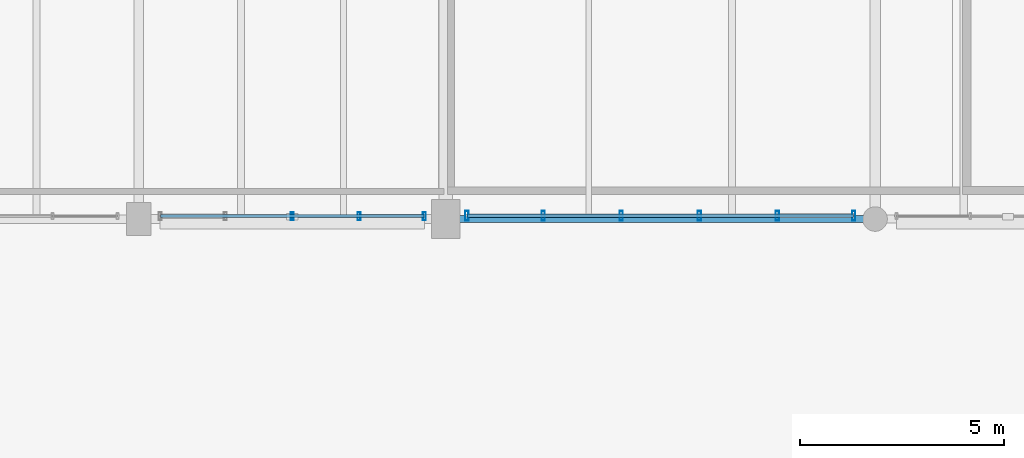
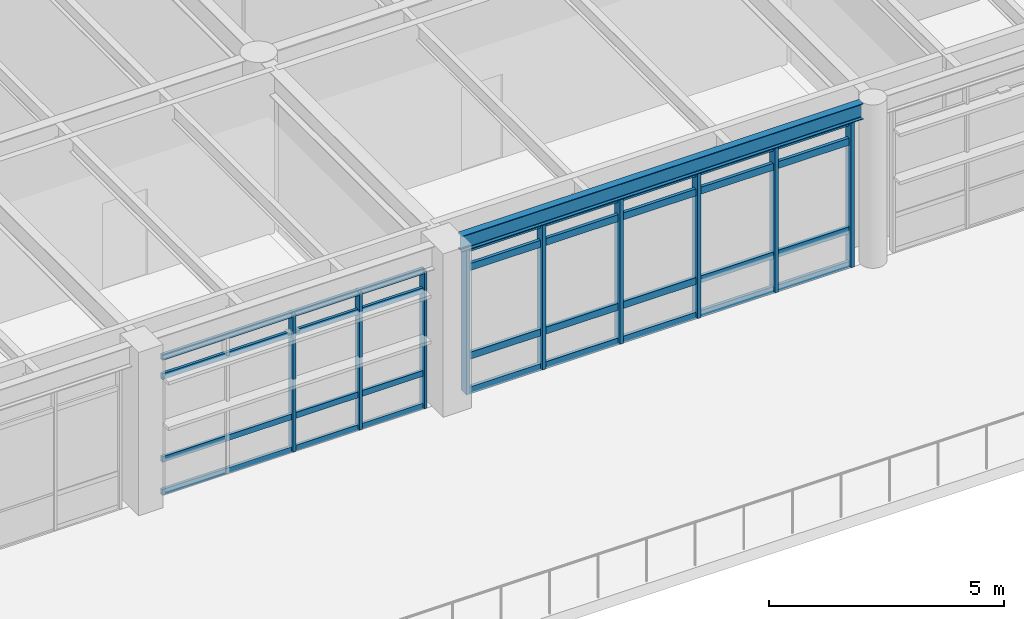
# One storey, part 72 of 168: 17 members, 1 beam, 2 elements without a shape of their own.
"""IFC4 building model written with IfcOpenShell, lengths in metres."""

from ifc_helpers import new_model, si_unit, direction, frame, origin, origin_2d, place, context, subcontext, project, spatial, hollow_rectangle, i_section, extrude, material, material_profile, profile_set, type_object, element, aggregate, save


model = new_model("IFC4")

# Units and contexts
model_context = context("Model", 3, precision=1e-05, world=origin(), true_north=direction((0.0, 1.0)))
body_context = subcontext(model_context, "Body", "Model", "MODEL_VIEW")
ifc_project = project(units=[si_unit("LENGTHUNIT", "METRE"), si_unit("AREAUNIT", "SQUARE_METRE"), si_unit("VOLUMEUNIT", "CUBIC_METRE"), si_unit("PLANEANGLEUNIT", "RADIAN"), si_unit("MASSUNIT", "GRAM", prefix="KILO"), si_unit("THERMODYNAMICTEMPERATUREUNIT", "KELVIN"), si_unit("POWERUNIT", "WATT")], contexts=[model_context])

# Site, building, storey
site_placement = place(None, origin())
site = spatial("IfcSite", under=ifc_project, at=site_placement, CompositionType="ELEMENT")
building_placement = place(site_placement, origin())
building = spatial("IfcBuilding", under=site, at=building_placement, Name="Tepalcoro Natatorium and Aquatics Centre", CompositionType="ELEMENT")
storey_placement = place(building_placement, frame((0.0, 0.0, 10.199951171875)))
storey = spatial("IfcBuildingStorey", under=building, at=storey_placement, Name="L02", CompositionType="ELEMENT", Elevation=10.199951171875)

# Curtain wall, members
ifc_material_1 = material(Name="Bronze-Anodised Extruded Aluminium Alloy EN AW-6063 T6", Category="aluminium")
curtain_wall_type_1 = type_object("IfcCurtainWallType", Name="CW_V4_VILLAGE", PredefinedType="USERDEFINED", material=ifc_material_1)
curtain_wall_1_placement = place(storey_placement, origin())
curtain_wall_1 = element("IfcCurtainWall", 1, at=curtain_wall_1_placement, inside=storey, type_object=curtain_wall_type_1, Name="V4 L02 S Unitised Curtain Wall Bay 3", ObjectType="UNITISED STOREFRONT", PredefinedType="USERDEFINED")
ifc_material_profile_1 = material_profile(ifc_material_1, hollow_rectangle(XDim=0.070068359375, YDim=0.199951171875, WallThickness=0.0048828125, at=origin_2d()), Name="AL70X200X5")
ifc_profile_set_1 = profile_set([ifc_material_profile_1], Name="Bronze-Anodised Extruded Aluminium Alloy EN AW-6063 T6")
member_type_1 = type_object("IfcMemberType", Name="CW_MUL_70x200", PredefinedType="MULLION", material=ifc_profile_set_1)
member_1_placement = place(storey_placement, frame((32.25, 94.0712890625, 0.02001953125), z_axis=(0.0, 0.0, 1.0), x_axis=(1.0, 0.0, 0.0)))
member_1 = element("IfcMember", 2, at=member_1_placement, type_object=member_type_1, Name="CW_V4_VILLAGE Curtain Wall Mullion", PredefinedType="MULLION", context=body_context, shape_type="SweptSolid", body=[
    extrude(hollow_rectangle(XDim=0.070068359375, YDim=0.199951171875, WallThickness=0.0048828125, at=origin_2d()), origin(), (0.0, 0.0, 1.0), 3.568115234375),
])
member_2_placement = place(storey_placement, frame((33.885009765625, 94.0712890625, 0.02001953125), z_axis=(0.0, 0.0, 1.0), x_axis=(1.0, 0.0, 0.0)))
member_2 = element("IfcMember", 3, at=member_2_placement, type_object=member_type_1, Name="CW_V4_VILLAGE Curtain Wall Mullion", PredefinedType="MULLION", context=body_context, shape_type="SweptSolid", body=[
    extrude(hollow_rectangle(XDim=0.070068359375, YDim=0.199951171875, WallThickness=0.0048828125, at=origin_2d()), origin(), (0.0, 0.0, 1.0), 3.568115234375),
])
member_3_placement = place(storey_placement, frame((35.47998046875, 94.0712890625, 0.02001953125), z_axis=(0.0, 0.0, 1.0), x_axis=(1.0, 0.0, 0.0)))
member_3 = element("IfcMember", 4, at=member_3_placement, type_object=member_type_1, Name="CW_V4_VILLAGE Curtain Wall Mullion", PredefinedType="MULLION", context=body_context, shape_type="SweptSolid", body=[
    extrude(hollow_rectangle(XDim=0.070068359375, YDim=0.199951171875, WallThickness=0.0048828125, at=origin_2d()), origin(), (0.0, 0.0, 1.0), 3.568115234375),
])

curtain_wall_type_2 = type_object("IfcCurtainWallType", Name="CW_V5_LOWER", PredefinedType="USERDEFINED", material=ifc_material_1)
curtain_wall_2_placement = place(storey_placement, origin())
curtain_wall_2 = element("IfcCurtainWall", 5, at=curtain_wall_2_placement, inside=storey, type_object=curtain_wall_type_2, Name="V4 L02 S Unitised Curtain Wall Bay 4", ObjectType="UNITISED STOREFRONT", PredefinedType="USERDEFINED")
ifc_material_profile_2 = material_profile(ifc_material_1, hollow_rectangle(XDim=0.080078125, YDim=0.239990234375, WallThickness=0.0048828125, at=origin_2d()), Name="AL80X240X5")
ifc_profile_set_2 = profile_set([ifc_material_profile_2], Name="Bronze-Anodised Extruded Aluminium Alloy EN AW-6063 T6")
member_type_2 = type_object("IfcMemberType", Name="CW_MUL_80x240", PredefinedType="MULLION", material=ifc_profile_set_2)
member_4_placement = place(storey_placement, frame((36.52001953125, 94.080078125, 0.02001953125), z_axis=(0.0, 0.0, 1.0), x_axis=(1.0, 0.0, 0.0)))
member_4 = element("IfcMember", 6, at=member_4_placement, type_object=member_type_2, Name="CW_V5_LOWER Curtain Wall Mullion", PredefinedType="MULLION", context=body_context, shape_type="SweptSolid", body=[
    extrude(hollow_rectangle(XDim=0.080078125, YDim=0.239990234375, WallThickness=0.0048828125, at=origin_2d()), origin(), (0.0, 0.0, 1.0), 3.76708984375),
])
member_5_placement = place(storey_placement, frame((38.387939453125, 94.080078125, 0.02001953125), z_axis=(0.0, 0.0, 1.0), x_axis=(1.0, 0.0, 0.0)))
member_5 = element("IfcMember", 7, at=member_5_placement, type_object=member_type_2, Name="CW_V5_LOWER Curtain Wall Mullion", PredefinedType="MULLION", context=body_context, shape_type="SweptSolid", body=[
    extrude(hollow_rectangle(XDim=0.080078125, YDim=0.239990234375, WallThickness=0.0048828125, at=origin_2d()), origin(), (0.0, 0.0, 1.0), 3.76708984375),
])
member_6_placement = place(storey_placement, frame((40.2958984375, 94.080078125, 0.02001953125), z_axis=(0.0, 0.0, 1.0), x_axis=(1.0, 0.0, 0.0)))
member_6 = element("IfcMember", 8, at=member_6_placement, type_object=member_type_2, Name="CW_V5_LOWER Curtain Wall Mullion", PredefinedType="MULLION", context=body_context, shape_type="SweptSolid", body=[
    extrude(hollow_rectangle(XDim=0.080078125, YDim=0.239990234375, WallThickness=0.0048828125, at=origin_2d()), origin(), (0.0, 0.0, 1.0), 3.76708984375),
])
member_7_placement = place(storey_placement, frame((42.2041015625, 94.080078125, 0.02001953125), z_axis=(0.0, 0.0, 1.0), x_axis=(1.0, 0.0, 0.0)))
member_7 = element("IfcMember", 9, at=member_7_placement, type_object=member_type_2, Name="CW_V5_LOWER Curtain Wall Mullion", PredefinedType="MULLION", context=body_context, shape_type="SweptSolid", body=[
    extrude(hollow_rectangle(XDim=0.080078125, YDim=0.239990234375, WallThickness=0.0048828125, at=origin_2d()), origin(), (0.0, 0.0, 1.0), 3.76708984375),
])
member_8_placement = place(storey_placement, frame((44.112060546875, 94.080078125, 0.02001953125), z_axis=(0.0, 0.0, 1.0), x_axis=(1.0, 0.0, 0.0)))
member_8 = element("IfcMember", 10, at=member_8_placement, type_object=member_type_2, Name="CW_V5_LOWER Curtain Wall Mullion", PredefinedType="MULLION", context=body_context, shape_type="SweptSolid", body=[
    extrude(hollow_rectangle(XDim=0.080078125, YDim=0.239990234375, WallThickness=0.0048828125, at=origin_2d()), origin(), (0.0, 0.0, 1.0), 3.76708984375),
])
member_9_placement = place(storey_placement, frame((45.97998046875, 94.080078125, 0.02001953125), z_axis=(0.0, 0.0, 1.0), x_axis=(1.0, 0.0, 0.0)))
member_9 = element("IfcMember", 11, at=member_9_placement, type_object=member_type_2, Name="CW_V5_LOWER Curtain Wall Mullion", PredefinedType="MULLION", context=body_context, shape_type="SweptSolid", body=[
    extrude(hollow_rectangle(XDim=0.080078125, YDim=0.239990234375, WallThickness=0.0048828125, at=origin_2d()), origin(), (0.0, 0.0, 1.0), 3.76708984375),
])

# Member
ifc_material_profile_3 = material_profile(ifc_material_1, hollow_rectangle(XDim=0.070068359375, YDim=0.14990234375, WallThickness=0.00390625, at=origin_2d()), Name="AL70X150X4")
ifc_profile_set_3 = profile_set([ifc_material_profile_3], Name="Bronze-Anodised Extruded Aluminium Alloy EN AW-6063 T6")
member_type_3 = type_object("IfcMemberType", Name="CW_TRN_70x150", PredefinedType="USERDEFINED", material=ifc_profile_set_3)
member_10_placement = place(storey_placement, frame((29.030029296875, 94.0712890625, 0.050048828125), z_axis=(1.0, 0.0, 0.0), x_axis=(0.0, 1.0, 0.0)))
member_10 = element("IfcMember", 12, at=member_10_placement, type_object=member_type_3, Name="CW_V4_VILLAGE Curtain Wall Transom", ObjectType="TRANSOM", PredefinedType="USERDEFINED", context=body_context, shape_type="SweptSolid", body=[
    extrude(hollow_rectangle(XDim=0.070068359375, YDim=0.14990234375, WallThickness=0.00390625, at=origin_2d()), origin(), (0.0, 0.0, 1.0), 6.43994140625),
])

member_11_placement = place(storey_placement, frame((29.030029296875, 94.0712890625, 0.902099609375), z_axis=(1.0, 0.0, 0.0), x_axis=(0.0, 1.0, 0.0)))
member_11 = element("IfcMember", 13, at=member_11_placement, type_object=member_type_3, Name="CW_V4_VILLAGE Curtain Wall Transom", ObjectType="TRANSOM", PredefinedType="USERDEFINED", context=body_context, shape_type="SweptSolid", body=[
    extrude(hollow_rectangle(XDim=0.070068359375, YDim=0.14990234375, WallThickness=0.00390625, at=origin_2d()), origin(), (0.0, 0.0, 1.0), 6.43994140625),
])

member_12_placement = place(storey_placement, frame((29.030029296875, 94.0712890625, 3.05810546875), z_axis=(1.0, 0.0, 0.0), x_axis=(0.0, 1.0, 0.0)))
member_12 = element("IfcMember", 14, at=member_12_placement, type_object=member_type_3, Name="CW_V4_VILLAGE Curtain Wall Transom", ObjectType="TRANSOM", PredefinedType="USERDEFINED", context=body_context, shape_type="SweptSolid", body=[
    extrude(hollow_rectangle(XDim=0.070068359375, YDim=0.14990234375, WallThickness=0.00390625, at=origin_2d()), origin(), (0.0, 0.0, 1.0), 6.43994140625),
])

member_13_placement = place(storey_placement, frame((29.030029296875, 94.0712890625, 3.55810546875), z_axis=(1.0, 0.0, 0.0), x_axis=(0.0, 1.0, 0.0)))
member_13 = element("IfcMember", 15, at=member_13_placement, type_object=member_type_3, Name="CW_V4_VILLAGE Curtain Wall Transom", ObjectType="TRANSOM", PredefinedType="USERDEFINED", context=body_context, shape_type="SweptSolid", body=[
    extrude(hollow_rectangle(XDim=0.070068359375, YDim=0.14990234375, WallThickness=0.00390625, at=origin_2d()), origin(), (0.0, 0.0, 1.0), 6.43994140625),
])

aggregate(curtain_wall_1, [member_1, member_2, member_3, member_10, member_11, member_12, member_13])

ifc_material_profile_4 = material_profile(ifc_material_1, hollow_rectangle(XDim=0.080078125, YDim=0.179931640625, WallThickness=0.0048828125, at=origin_2d()), Name="AL80X180X5")
ifc_profile_set_4 = profile_set([ifc_material_profile_4], Name="Bronze-Anodised Extruded Aluminium Alloy EN AW-6063 T6")
member_type_4 = type_object("IfcMemberType", Name="CW_TRN_80x180", PredefinedType="USERDEFINED", material=ifc_profile_set_4)
member_14_placement = place(storey_placement, frame((36.530029296875, 94.080078125, 0.050048828125), z_axis=(1.0, 0.0, 0.0), x_axis=(0.0, 1.0, 0.0)))
member_14 = element("IfcMember", 16, at=member_14_placement, type_object=member_type_4, Name="CW_V5_LOWER Curtain Wall Transom", ObjectType="TRANSOM", PredefinedType="USERDEFINED", context=body_context, shape_type="SweptSolid", body=[
    extrude(hollow_rectangle(XDim=0.080078125, YDim=0.179931640625, WallThickness=0.0048828125, at=origin_2d()), origin(), (0.0, 0.0, 1.0), 9.43994140625),
])

member_15_placement = place(storey_placement, frame((36.530029296875, 94.080078125, 0.949951171875), z_axis=(1.0, 0.0, 0.0), x_axis=(0.0, 1.0, 0.0)))
member_15 = element("IfcMember", 17, at=member_15_placement, type_object=member_type_4, Name="CW_V5_LOWER Curtain Wall Transom", ObjectType="TRANSOM", PredefinedType="USERDEFINED", context=body_context, shape_type="SweptSolid", body=[
    extrude(hollow_rectangle(XDim=0.080078125, YDim=0.179931640625, WallThickness=0.0048828125, at=origin_2d()), origin(), (0.0, 0.0, 1.0), 9.43994140625),
])

member_16_placement = place(storey_placement, frame((36.530029296875, 94.080078125, 3.257080078125), z_axis=(1.0, 0.0, 0.0), x_axis=(0.0, 1.0, 0.0)))
member_16 = element("IfcMember", 18, at=member_16_placement, type_object=member_type_4, Name="CW_V5_LOWER Curtain Wall Transom", ObjectType="TRANSOM", PredefinedType="USERDEFINED", context=body_context, shape_type="SweptSolid", body=[
    extrude(hollow_rectangle(XDim=0.080078125, YDim=0.179931640625, WallThickness=0.0048828125, at=origin_2d()), origin(), (0.0, 0.0, 1.0), 9.43994140625),
])

member_17_placement = place(storey_placement, frame((36.530029296875, 94.080078125, 3.757080078125), z_axis=(1.0, 0.0, 0.0), x_axis=(0.0, 1.0, 0.0)))
member_17 = element("IfcMember", 19, at=member_17_placement, type_object=member_type_4, Name="CW_V5_LOWER Curtain Wall Transom", ObjectType="TRANSOM", PredefinedType="USERDEFINED", context=body_context, shape_type="SweptSolid", body=[
    extrude(hollow_rectangle(XDim=0.080078125, YDim=0.179931640625, WallThickness=0.0048828125, at=origin_2d()), origin(), (0.0, 0.0, 1.0), 9.43994140625),
])

aggregate(curtain_wall_2, [member_4, member_5, member_6, member_7, member_8, member_9, member_14, member_15, member_16, member_17])

# Beam
ifc_material_2 = material(Name="Steel ASTM A992 Grade 50 (Fy 345 MPa)", Category="steel")
ifc_material_profile_5 = material_profile(ifc_material_2, i_section(OverallWidth=0.179931640625, OverallDepth=0.4130859375, WebThickness=0.010009765625, FlangeThickness=0.01611328125, FilletRadius=0.013916015625, at=origin_2d()), Name="W16X50")
ifc_profile_set_5 = profile_set([ifc_material_profile_5], Name="Steel ASTM A992 Grade 50 (Fy 345 MPa)")
beam_type = type_object("IfcBeamType", Name="SP_HSS300x200x12", PredefinedType="SPANDREL", material=ifc_profile_set_5)
beam_placement = place(storey_placement, frame((36.3349609375, 94.0, 4.028564453125), z_axis=(1.0, 0.0, 0.0), x_axis=(0.0, 1.0, 0.0)))
element("IfcBeam", 20, at=beam_placement, inside=storey, type_object=beam_type, Name="V4 L02 Grid Girder X", PredefinedType="SPANDREL", context=body_context, shape_type="SweptSolid", body=[
    extrude(i_section(OverallWidth=0.179931640625, OverallDepth=0.4130859375, WebThickness=0.010009765625, FlangeThickness=0.01611328125, FilletRadius=0.013916015625, at=origin_2d()), origin(), (0.0, 0.0, 1.0), 9.880126953125),
])

save(model, "model.ifc")
